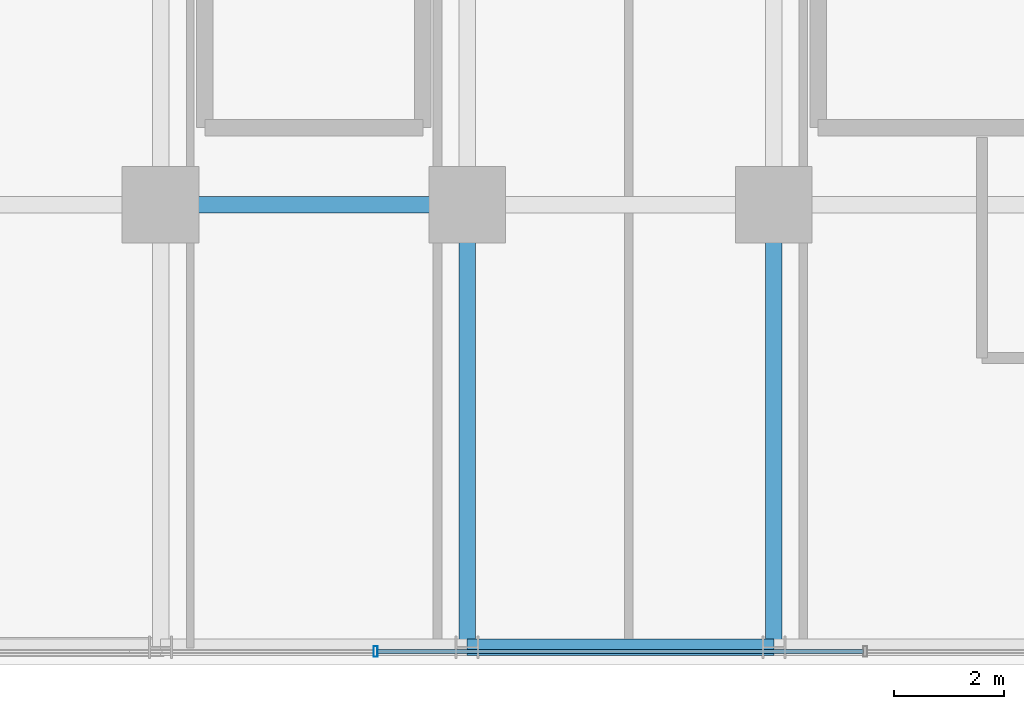
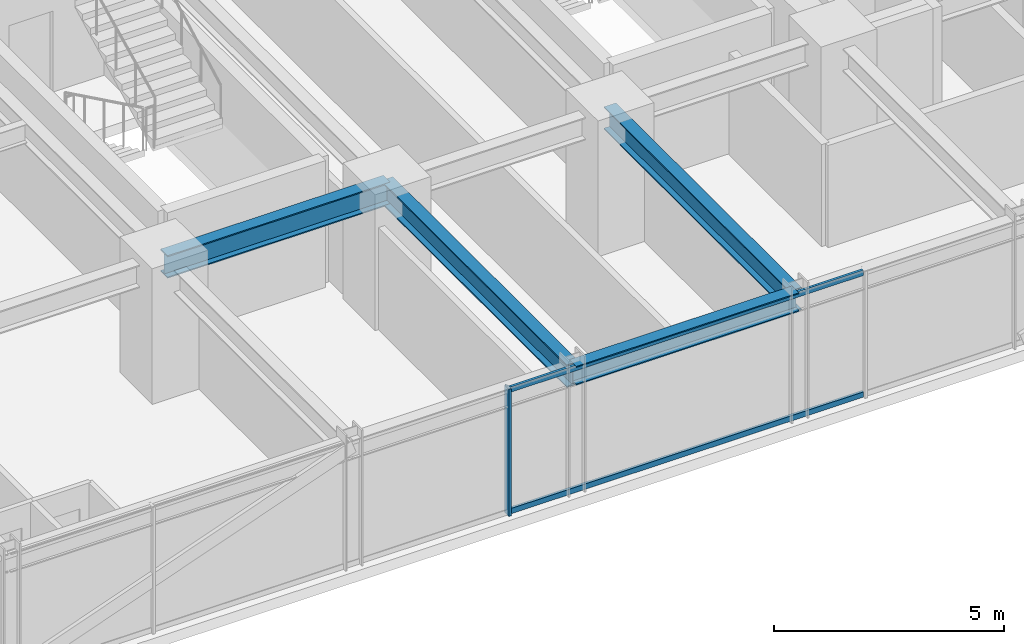
# One storey, part 7 of 42: 4 beams, 3 members, 1 element without a shape of its own.
"""IFC4 building model written with IfcOpenShell, lengths in metres."""

from ifc_helpers import new_model, si_unit, direction, frame, origin, origin_2d, place, context, subcontext, project, spatial, hollow_rectangle, i_section, extrude, source, transform, mapped, material, material_profile, profile_set, type_object, element, aggregate, save


model = new_model("IFC4")

# Units and contexts
model_context = context("Model", 3, precision=1e-05, world=origin(), true_north=direction((0.0, 1.0)))
body_context = subcontext(model_context, "Body", "Model", "MODEL_VIEW")
ifc_project = project(units=[si_unit("LENGTHUNIT", "METRE"), si_unit("AREAUNIT", "SQUARE_METRE"), si_unit("VOLUMEUNIT", "CUBIC_METRE"), si_unit("PLANEANGLEUNIT", "RADIAN"), si_unit("MASSUNIT", "GRAM", prefix="KILO")], contexts=[model_context])

# Site, building, storey
site_placement = place(None, origin())
site = spatial("IfcSite", under=ifc_project, at=site_placement, CompositionType="ELEMENT")
building_placement = place(site_placement, origin())
building = spatial("IfcBuilding", under=site, at=building_placement, Name="Nahalor Promenade Grand Hotel", CompositionType="ELEMENT")
storey_placement = place(building_placement, frame((0.0, 0.0, 61.60009765625)))
storey = spatial("IfcBuildingStorey", under=building, at=storey_placement, Name="L14", CompositionType="ELEMENT", Elevation=61.60009765625)

# Beams
ifc_material_1 = material(Name="Steel S355JR", Category="steel")
ifc_material_profile_1 = material_profile(ifc_material_1, i_section(OverallWidth=0.3, OverallDepth=0.6, WebThickness=0.0155, FlangeThickness=0.03, at=origin_2d()), Name="HEB 600")
ifc_profile_set_1 = profile_set([ifc_material_profile_1], Name="Steel S355JR")
beam_type_1 = type_object("IfcBeamType", Name="Beam-Girder-HEB600", PredefinedType="BEAM", material=ifc_profile_set_1)
shared_shape_1 = source(origin(), body_context, "Body", "SweptSolid", [
    extrude(i_section(OverallWidth=0.3, OverallDepth=0.6, WebThickness=0.0155, FlangeThickness=0.03, at=origin_2d()), origin(), (0.0, 0.0, 1.0), 5.599853515625),
])
beam_1_placement = place(storey_placement, frame((-8.39990234375, -17.0, 3.06982421875), z_axis=(1.0, 0.0, 0.0), x_axis=(0.0, 1.0, 0.0)))
element("IfcBeam", 1, at=beam_1_placement, inside=storey, type_object=beam_type_1, Name="BM-L14-GX-0-2", PredefinedType="BEAM", context=body_context, shape_type="MappedRepresentation", body=[
    mapped(shared_shape_1, transform((0.0, 0.0, 0.0), scale=1.0)),
])
ifc_material_profile_2 = material_profile(ifc_material_1, i_section(OverallWidth=0.3, OverallDepth=0.5, WebThickness=0.0145, FlangeThickness=0.028, at=origin_2d()), Name="HEB 500")
ifc_profile_set_2 = profile_set([ifc_material_profile_2], Name="Steel S355JR")
beam_type_2 = type_object("IfcBeamType", Name="Beam-Spandrel-HEB500", PredefinedType="SPANDREL", material=ifc_profile_set_2)
shared_shape_2 = source(origin(), body_context, "Body", "SweptSolid", [
    extrude(i_section(OverallWidth=0.3, OverallDepth=0.5, WebThickness=0.0145, FlangeThickness=0.028, at=origin_2d()), origin(), (0.0, 0.0, 1.0), 5.60009765625),
])
beam_2_placement = place(storey_placement, frame((-2.800048828125, -25.080078125, 3.119873046875), z_axis=(1.0, 0.0, 0.0), x_axis=(0.0, 1.0, 0.0)))
element("IfcBeam", 2, at=beam_2_placement, inside=storey, type_object=beam_type_2, Name="BM-L14-SP-S-2", PredefinedType="SPANDREL", context=body_context, shape_type="MappedRepresentation", body=[
    mapped(shared_shape_2, transform((0.0, 0.0, 0.0), scale=1.0)),
])
shared_shape_3 = source(origin(), body_context, "Body", "SweptSolid", [
    extrude(i_section(OverallWidth=0.3, OverallDepth=0.6, WebThickness=0.0155, FlangeThickness=0.03, at=origin_2d()), origin(), (0.0, 0.0, 1.0), 8.080078125),
])
for number, where, z_axis, x_axis, name in (
    (3, (-2.800048828125, -25.080078125, 3.06982421875), (0.0, 1.0, 0.0), (-1.0, 0.0, 0.0), "BM-L14-GY-2-0"),
    (4, (2.800048828125, -25.080078125, 3.06982421875), (0.0, 1.0, 0.0), (-1.0, 0.0, 0.0), "BM-L14-GY-3-0"),
):
    element("IfcBeam", number, at=place(storey_placement, frame(where, z_axis=z_axis, x_axis=x_axis)), inside=storey, type_object=beam_type_1, Name=name, PredefinedType="BEAM", context=body_context, shape_type="MappedRepresentation", body=[
        mapped(shared_shape_3, transform((0.0, 0.0, 0.0), scale=1.0)),
    ])

# Curtain wall, members
ifc_material_2 = material(Name="Anodised Bronze Aluminium EN AW-6063 T6", Category="aluminium")
curtain_wall_type = type_object("IfcCurtainWallType", Name="CW3 Elliptical-Void Collar Unitised Curtain Wall", PredefinedType="USERDEFINED", material=ifc_material_2)
curtain_wall_placement = place(storey_placement, origin())
curtain_wall = element("IfcCurtainWall", 5, at=curtain_wall_placement, inside=storey, type_object=curtain_wall_type, Name="L14 Curtain Wall CW-L14-S-1", ObjectType="UNITISED_CURTAIN_WALL", PredefinedType="USERDEFINED")
ifc_material_profile_3 = material_profile(ifc_material_2, hollow_rectangle(XDim=0.07, YDim=0.2, WallThickness=0.005, at=origin_2d()), Name="CWM 70x200x5")
ifc_profile_set_3 = profile_set([ifc_material_profile_3], Name="Anodised Bronze Aluminium EN AW-6063 T6")
member_type_1 = type_object("IfcMemberType", Name="CWM3 Void Collar Mullion 70x200", PredefinedType="MULLION", material=ifc_profile_set_3)
shared_shape_4 = source(origin(), body_context, "Body", "SweptSolid", [
    extrude(hollow_rectangle(XDim=0.07, YDim=0.2, WallThickness=0.005, at=origin_2d()), origin(), (0.0, 0.0, 1.0), 3.369873046875),
])
member_1_placement = place(storey_placement, frame((-4.471923828125, -25.159912109375, 0.0), z_axis=(0.0, 0.0, 1.0), x_axis=(1.0, 0.0, 0.0)))
member_1 = element("IfcMember", 6, at=member_1_placement, type_object=member_type_1, Name="CW-L14-S-1 Mullion 2", PredefinedType="MULLION", context=body_context, shape_type="MappedRepresentation", body=[
    mapped(shared_shape_4, transform((0.0, 0.0, 0.0), scale=1.0)),
])
ifc_material_profile_4 = material_profile(ifc_material_2, hollow_rectangle(XDim=0.07, YDim=0.14, WallThickness=0.004, at=origin_2d()), Name="CWT 70x140x4")
ifc_profile_set_4 = profile_set([ifc_material_profile_4], Name="Anodised Bronze Aluminium EN AW-6063 T6")
member_type_2 = type_object("IfcMemberType", Name="CWT3 Void Collar Transom 70x140", PredefinedType="USERDEFINED", material=ifc_profile_set_4)
shared_shape_5 = source(origin(), body_context, "Body", "SweptSolid", [
    extrude(hollow_rectangle(XDim=0.07, YDim=0.14, WallThickness=0.004, at=origin_2d()), origin(), (0.0, 0.0, 1.0), 8.8740234375),
])
member_2_placement = place(storey_placement, frame((-4.43701171875, -25.159912109375, 0.06982421875), z_axis=(1.0, 0.0, 0.0), x_axis=(0.0, 1.0, 0.0)))
member_2 = element("IfcMember", 7, at=member_2_placement, type_object=member_type_2, Name="CW-L14-S-1 Transom 2-0", ObjectType="TRANSOM", PredefinedType="USERDEFINED", context=body_context, shape_type="MappedRepresentation", body=[
    mapped(shared_shape_5, transform((0.0, 0.0, 0.0), scale=1.0)),
])
member_3_placement = place(storey_placement, frame((-4.43701171875, -25.159912109375, 3.2998046875), z_axis=(1.0, 0.0, 0.0), x_axis=(0.0, 1.0, 0.0)))
member_3 = element("IfcMember", 8, at=member_3_placement, type_object=member_type_2, Name="CW-L14-S-1 Transom 2-1", ObjectType="TRANSOM", PredefinedType="USERDEFINED", context=body_context, shape_type="MappedRepresentation", body=[
    mapped(shared_shape_5, transform((0.0, 0.0, 0.0), scale=1.0)),
])
aggregate(curtain_wall, [member_1, member_2, member_3])

save(model, "model.ifc")
